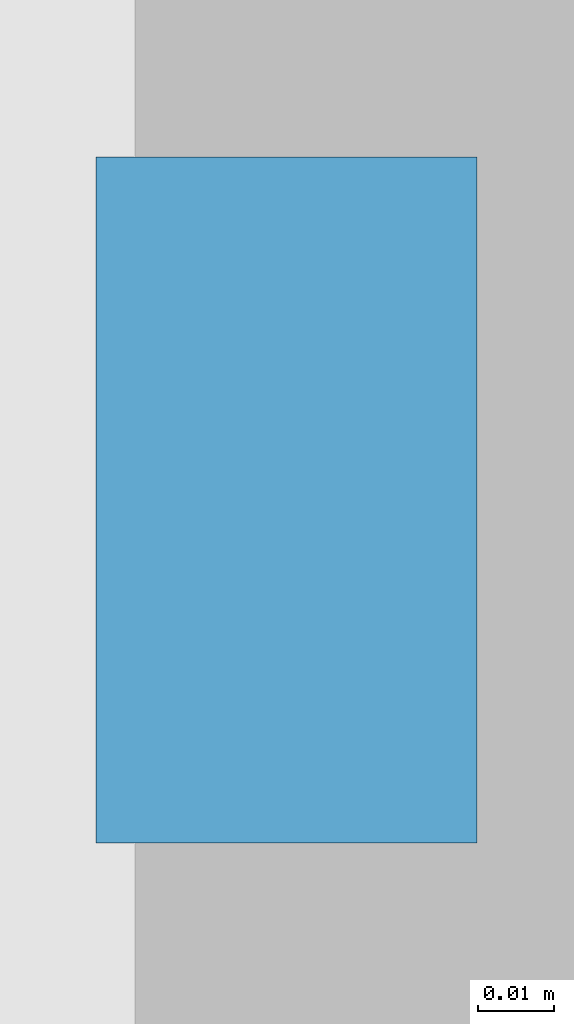
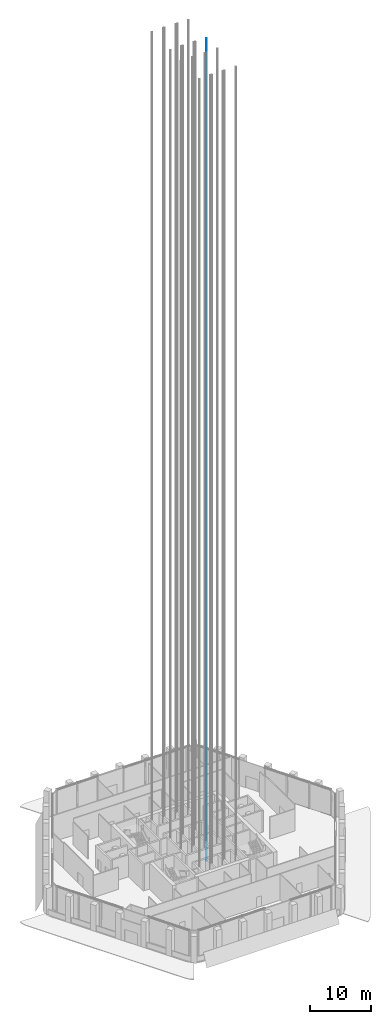
# One storey, part 32 of 42: 1 discrete accessory.
"""IFC4 building model written with IfcOpenShell, lengths in metres."""

from ifc_helpers import new_model, si_unit, direction, frame, origin, origin_2d, place, context, subcontext, project, spatial, rectangle, extrude, element, save


model = new_model("IFC4")

# Units and contexts
model_context = context("Model", 3, precision=1e-05, world=origin(), true_north=direction((0.0, 1.0)))
body_context = subcontext(model_context, "Body", "Model", "MODEL_VIEW")
ifc_project = project(units=[si_unit("LENGTHUNIT", "METRE"), si_unit("AREAUNIT", "SQUARE_METRE"), si_unit("VOLUMEUNIT", "CUBIC_METRE"), si_unit("PLANEANGLEUNIT", "RADIAN"), si_unit("MASSUNIT", "GRAM", prefix="KILO")], contexts=[model_context])

# Site, building, storey
site_placement = place(None, origin())
site = spatial("IfcSite", under=ifc_project, at=site_placement, CompositionType="ELEMENT")
building_placement = place(site_placement, origin())
building = spatial("IfcBuilding", under=site, at=building_placement, Name="Kolab Exchange Tower", CompositionType="ELEMENT")
storey_placement = place(building_placement, frame((0.0, 0.0, 133.39990234375)))
storey = spatial("IfcBuildingStorey", under=building, at=storey_placement, Name="L26", CompositionType="ELEMENT", Elevation=133.39990234375)

# Discrete accessory
discrete_accessory_placement = place(storey_placement, frame((3.469970703125, 1.800048828125, -1.599853515625), z_axis=(0.0, 0.0, 1.0), x_axis=(1.0, 0.0, 0.0)))
element("IfcDiscreteAccessory", 1, at=discrete_accessory_placement, inside=storey, Name="Guide rail HR6-2", ObjectType="GUIDE RAIL", PredefinedType="USERDEFINED", context=body_context, shape_type="SweptSolid", body=[
    extrude(rectangle(XDim=0.050048828125, YDim=0.090087890625, at=origin_2d()), origin(), (0.0, 0.0, 1.0), 165.60009765625),
])

save(model, "model.ifc")
